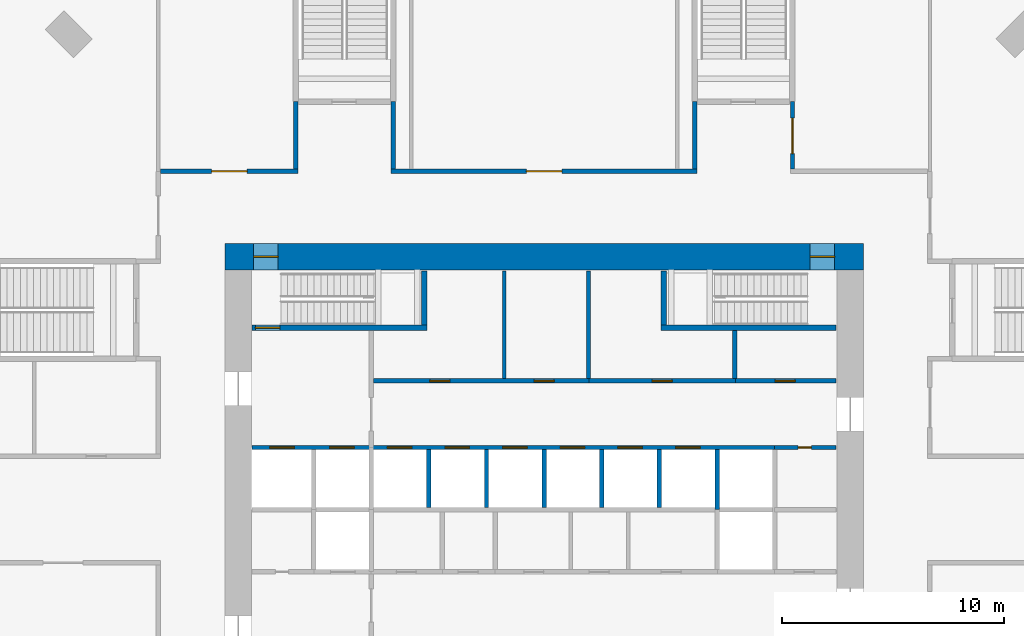
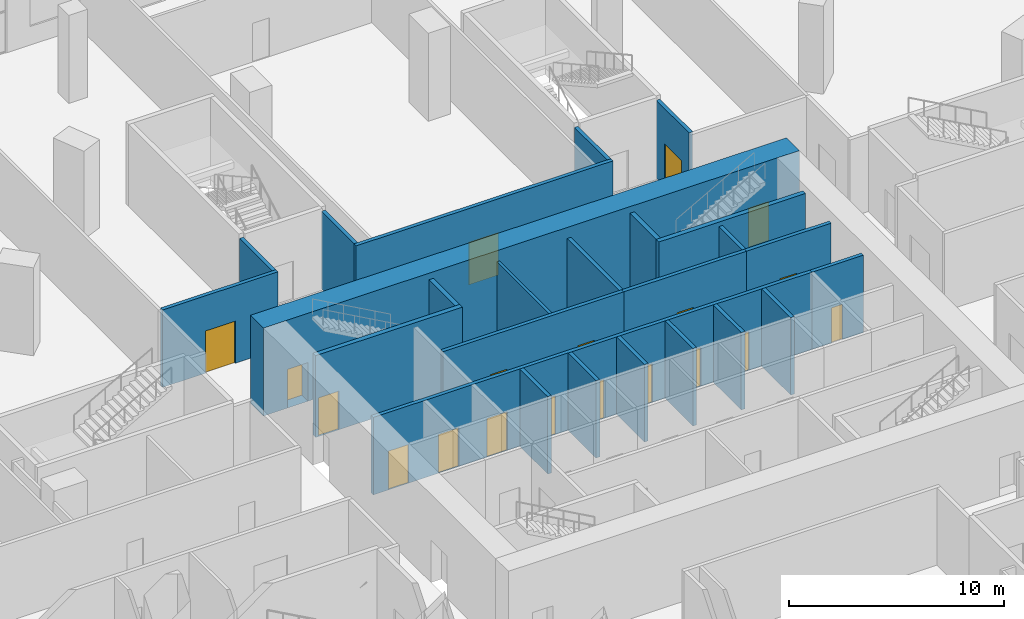
# One storey, part 24 of 32: 25 walls, 19 doors, 19 openings.
"""IFC4 building model written with IfcOpenShell, lengths in metres."""

from ifc_helpers import new_model, si_unit, direction, frame, frame_2d, origin, place, context, subcontext, project, spatial, rectangle, extrude, material, layer, layer_set, type_object, element, fill, save


model = new_model("IFC4")

# Units and contexts
model_context = context("Model", 3, precision=1e-05, world=origin(), true_north=direction((0.0, 1.0)))
body_context = subcontext(model_context, "Body", "Model", "MODEL_VIEW")
ifc_project = project(units=[si_unit("LENGTHUNIT", "METRE"), si_unit("AREAUNIT", "SQUARE_METRE"), si_unit("VOLUMEUNIT", "CUBIC_METRE"), si_unit("PLANEANGLEUNIT", "RADIAN"), si_unit("MASSUNIT", "GRAM", prefix="KILO")], contexts=[model_context])

# Site, building, storey
site_placement = place(None, origin())
site = spatial("IfcSite", under=ifc_project, at=site_placement, CompositionType="ELEMENT")
building_placement = place(site_placement, origin())
building = spatial("IfcBuilding", under=site, at=building_placement, Name="Msitu Wima Residences", CompositionType="ELEMENT")
storey_placement = place(building_placement, frame((0.0, 0.0, 6.0)))
storey = spatial("IfcBuildingStorey", under=building, at=storey_placement, Name="L01", CompositionType="ELEMENT", Elevation=6.0)

# Wall, openings, doors
ifc_material_1 = material(Name="Concrete C80/95", Category="concrete")
ifc_layer_1 = layer(ifc_material_1, 1.199951171875)
ifc_layer_set_1 = layer_set([ifc_layer_1], Name="Concrete C80/95")
wall_type_1 = type_object("IfcWallType", Name="Core wall CW1200 C80/95", PredefinedType="SHEAR", material=ifc_layer_set_1)
wall_1_placement = place(storey_placement, frame((-14.39990234375, 11.39990234375, 0.0), z_axis=(0.0, 0.0, 1.0), x_axis=(1.0, 0.0, 0.0)))
wall_1 = element("IfcWall", 1, at=wall_1_placement, inside=storey, type_object=wall_type_1, Name="Core wall", PredefinedType="SHEAR", context=body_context, shape_type="SweptSolid", body=[
    extrude(rectangle(XDim=28.7998046875, YDim=1.199951171875, at=frame_2d((14.39990234375, 0.0))), origin(), (0.0, 0.0, 1.0), 5.0),
])
opening_1_placement = place(wall_1_placement, frame((1.300048828125, 0.0, 0.0)))
opening_1 = element("IfcOpeningElement", 2, at=opening_1_placement, cuts=wall_1, Name="Opening D01.063", PredefinedType="OPENING", context=body_context, shape_type="SweptSolid", body=[
    extrude(rectangle(XDim=1.10009765625, YDim=2.199951171875, at=frame_2d((0.550048828125, 1.10009765625))), frame((0.0, 0.60986328125, 0.0), z_axis=(0.0, -1.0, 0.0), x_axis=(1.0, 0.0, 0.0)), (0.0, 0.0, 1.0), 1.219970703125),
])
opening_2_placement = place(wall_1_placement, frame((26.39990234375, 0.0, 0.0)))
opening_2 = element("IfcOpeningElement", 3, at=opening_2_placement, cuts=wall_1, Name="Opening D01.065", PredefinedType="OPENING", context=body_context, shape_type="SweptSolid", body=[
    extrude(rectangle(XDim=1.10009765625, YDim=2.199951171875, at=frame_2d((0.550048828125, 1.10009765625))), frame((0.0, 0.60986328125, 0.0), z_axis=(0.0, -1.0, 0.0), x_axis=(1.0, 0.0, 0.0)), (0.0, 0.0, 1.0), 1.219970703125),
])
ifc_material_2 = material(Name="Steel door, fire resisting, panic bar", Category="steel")
door_type_1 = type_object("IfcDoorType", Name="Stair door D06 1100x2200", OperationType="SINGLE_SWING_LEFT", PredefinedType="DOOR", material=ifc_material_2)
door_1_placement = place(opening_1_placement, origin())
door_1 = element("IfcDoor", 4, at=door_1_placement, inside=storey, type_object=door_type_1, Name="Stair door", OperationType="SINGLE_SWING_RIGHT", OverallHeight=2.199951171875, OverallWidth=1.10009765625, PredefinedType="DOOR", context=body_context, shape_type="SweptSolid", body=[
    extrude(rectangle(XDim=1.10009765625, YDim=2.199951171875, at=frame_2d((0.550048828125, 1.10009765625))), frame((0.0, 0.02490234375, 0.0), z_axis=(0.0, -1.0, 0.0), x_axis=(1.0, 0.0, 0.0)), (0.0, 0.0, 1.0), 0.050048828125),
])
fill(opening_1, door_1)
door_2_placement = place(opening_2_placement, origin())
door_2 = element("IfcDoor", 5, at=door_2_placement, inside=storey, type_object=door_type_1, Name="Stair door", OperationType="SINGLE_SWING_LEFT", OverallHeight=2.199951171875, OverallWidth=1.10009765625, PredefinedType="DOOR", context=body_context, shape_type="SweptSolid", body=[
    extrude(rectangle(XDim=1.10009765625, YDim=2.199951171875, at=frame_2d((0.550048828125, 1.10009765625))), frame((0.0, 0.02490234375, 0.0), z_axis=(0.0, -1.0, 0.0), x_axis=(1.0, 0.0, 0.0)), (0.0, 0.0, 1.0), 0.050048828125),
])
fill(opening_2, door_2)

# Wall, opening, door
ifc_material_3 = material(Name="Plaster")
ifc_layer_2 = layer(ifc_material_3, 0.011962890625, Name="Plaster")
ifc_material_4 = material(Name="Concrete blockwork", Category="masonry")
ifc_layer_3 = layer(ifc_material_4, 0.176025390625, Name="Concrete blockwork")
ifc_layer_4 = layer(ifc_material_3, 0.011962890625, Name="Plaster")
ifc_layer_set_2 = layer_set([ifc_layer_2, ifc_layer_3, ifc_layer_4], Name="Concrete blockwork")
wall_type_2 = type_object("IfcWallType", Name="Corridor wall FW200", PredefinedType="PARTITIONING", material=ifc_layer_set_2)
wall_2_placement = place(storey_placement, frame((-17.300048828125, 15.2568359375, 0.0), z_axis=(0.0, 0.0, 1.0), x_axis=(1.0, 0.0, 0.0)))
wall_2 = element("IfcWall", 6, at=wall_2_placement, inside=storey, type_object=wall_type_2, Name="Corridor wall", PredefinedType="PARTITIONING", context=body_context, shape_type="SweptSolid", body=[
    extrude(rectangle(XDim=6.199951171875, YDim=0.199951171875, at=frame_2d((3.10009765625, 0.0))), origin(), (0.0, 0.0, 1.0), 4.39990234375),
])
opening_3_placement = place(wall_2_placement, frame((2.300048828125, 0.0, 0.0)))
opening_3 = element("IfcOpeningElement", 7, at=opening_3_placement, cuts=wall_2, Name="Opening D01.042", PredefinedType="OPENING", context=body_context, shape_type="SweptSolid", body=[
    extrude(rectangle(XDim=1.60009765625, YDim=2.39990234375, at=frame_2d((0.800048828125, 1.199951171875))), frame((0.0, 0.10986328125, 0.0), z_axis=(0.0, -1.0, 0.0), x_axis=(1.0, 0.0, 0.0)), (0.0, 0.0, 1.0), 0.219970703125),
])
ifc_material_5 = material(Name="Black aluminium glazed door", Category="aluminium")
door_type_2 = type_object("IfcDoorType", Name="Amenity door D10 1600x2400", OperationType="DOUBLE_DOOR_SINGLE_SWING", PredefinedType="DOOR", material=ifc_material_5)
door_3_placement = place(opening_3_placement, origin())
door_3 = element("IfcDoor", 8, at=door_3_placement, inside=storey, type_object=door_type_2, Name="Amenity door", OperationType="DOUBLE_DOOR_SINGLE_SWING", OverallHeight=2.39990234375, OverallWidth=1.60009765625, PredefinedType="DOOR", context=body_context, shape_type="SweptSolid", body=[
    extrude(rectangle(XDim=1.60009765625, YDim=2.39990234375, at=frame_2d((0.800048828125, 1.199951171875))), frame((0.0, 0.02490234375, 0.0), z_axis=(0.0, -1.0, 0.0), x_axis=(1.0, 0.0, 0.0)), (0.0, 0.0, 1.0), 0.050048828125),
])
fill(opening_3, door_3)

# Wall
wall_3_placement = place(storey_placement, frame((-11.199951171875, 15.356689453125, 0.0), z_axis=(0.0, 0.0, 1.0), x_axis=(0.0, 1.0, 0.0)))
element("IfcWall", 9, at=wall_3_placement, inside=storey, type_object=wall_type_2, Name="Corridor wall", PredefinedType="PARTITIONING", context=body_context, shape_type="SweptSolid", body=[
    extrude(rectangle(XDim=3.043212890625, YDim=0.199951171875, at=frame_2d((1.521484375, 0.0))), origin(), (0.0, 0.0, 1.0), 4.39990234375),
])

# Wall, openings, doors
wall_4_placement = place(storey_placement, frame((-7.699951171875, 5.800048828125, 0.0), z_axis=(0.0, 0.0, 1.0), x_axis=(1.0, 0.0, 0.0)))
wall_4 = element("IfcWall", 10, at=wall_4_placement, inside=storey, type_object=wall_type_2, Name="Corridor wall", PredefinedType="PARTITIONING", context=body_context, shape_type="SweptSolid", body=[
    extrude(rectangle(XDim=9.719970703125, YDim=0.199951171875, at=frame_2d((4.85986328125, 0.0))), origin(), (0.0, 0.0, 1.0), 4.39990234375),
])
opening_4_placement = place(wall_4_placement, frame((2.550048828125, 0.0, 0.0)))
opening_4 = element("IfcOpeningElement", 11, at=opening_4_placement, cuts=wall_4, Name="Opening D01.012", PredefinedType="OPENING", context=body_context, shape_type="SweptSolid", body=[
    extrude(rectangle(XDim=0.89990234375, YDim=2.199951171875, at=frame_2d((0.449951171875, 1.10009765625))), frame((0.0, 0.10986328125, 0.0), z_axis=(0.0, -1.0, 0.0), x_axis=(1.0, 0.0, 0.0)), (0.0, 0.0, 1.0), 0.219970703125),
])
opening_5_placement = place(wall_4_placement, frame((7.25, 0.0, 0.0)))
opening_5 = element("IfcOpeningElement", 12, at=opening_5_placement, cuts=wall_4, Name="Opening D01.013", PredefinedType="OPENING", context=body_context, shape_type="SweptSolid", body=[
    extrude(rectangle(XDim=0.89990234375, YDim=2.199951171875, at=frame_2d((0.449951171875, 1.10009765625))), frame((0.0, 0.10986328125, 0.0), z_axis=(0.0, -1.0, 0.0), x_axis=(1.0, 0.0, 0.0)), (0.0, 0.0, 1.0), 0.219970703125),
])
ifc_material_6 = material(Name="Timber flush door", Category="wood")
door_type_3 = type_object("IfcDoorType", Name="Service door D05 900x2200", OperationType="SINGLE_SWING_LEFT", PredefinedType="DOOR", material=ifc_material_6)
door_4_placement = place(opening_4_placement, origin())
door_4 = element("IfcDoor", 13, at=door_4_placement, inside=storey, type_object=door_type_3, Name="Service door", OperationType="SINGLE_SWING_RIGHT", OverallHeight=2.199951171875, OverallWidth=0.89990234375, PredefinedType="DOOR", context=body_context, shape_type="SweptSolid", body=[
    extrude(rectangle(XDim=0.89990234375, YDim=2.199951171875, at=frame_2d((0.449951171875, 1.10009765625))), frame((0.0, 0.02490234375, 0.0), z_axis=(0.0, -1.0, 0.0), x_axis=(1.0, 0.0, 0.0)), (0.0, 0.0, 1.0), 0.050048828125),
])
fill(opening_4, door_4)
door_5_placement = place(opening_5_placement, origin())
door_5 = element("IfcDoor", 14, at=door_5_placement, inside=storey, type_object=door_type_3, Name="Service door", OperationType="SINGLE_SWING_LEFT", OverallHeight=2.199951171875, OverallWidth=0.89990234375, PredefinedType="DOOR", context=body_context, shape_type="SweptSolid", body=[
    extrude(rectangle(XDim=0.89990234375, YDim=2.199951171875, at=frame_2d((0.449951171875, 1.10009765625))), frame((0.0, 0.02490234375, 0.0), z_axis=(0.0, -1.0, 0.0), x_axis=(1.0, 0.0, 0.0)), (0.0, 0.0, 1.0), 0.050048828125),
])
fill(opening_5, door_5)

# Wall
wall_5_placement = place(storey_placement, frame((-6.800048828125, 15.356689453125, 0.0), z_axis=(0.0, 0.0, 1.0), x_axis=(0.0, 1.0, 0.0)))
element("IfcWall", 15, at=wall_5_placement, inside=storey, type_object=wall_type_2, Name="Corridor wall", PredefinedType="PARTITIONING", context=body_context, shape_type="SweptSolid", body=[
    extrude(rectangle(XDim=3.043212890625, YDim=0.199951171875, at=frame_2d((1.521484375, 0.0))), origin(), (0.0, 0.0, 1.0), 4.39990234375),
])

# Wall, opening, door
wall_6_placement = place(storey_placement, frame((-6.89990234375, 15.2568359375, 0.0), z_axis=(0.0, 0.0, 1.0), x_axis=(1.0, 0.0, 0.0)))
wall_6 = element("IfcWall", 16, at=wall_6_placement, inside=storey, type_object=wall_type_2, Name="Corridor wall", PredefinedType="PARTITIONING", context=body_context, shape_type="SweptSolid", body=[
    extrude(rectangle(XDim=13.7998046875, YDim=0.199951171875, at=frame_2d((6.89990234375, 0.0))), origin(), (0.0, 0.0, 1.0), 4.39990234375),
])
opening_6_placement = place(wall_6_placement, frame((6.10009765625, 0.0, 0.0)))
opening_6 = element("IfcOpeningElement", 17, at=opening_6_placement, cuts=wall_6, Name="Opening D01.043", PredefinedType="OPENING", context=body_context, shape_type="SweptSolid", body=[
    extrude(rectangle(XDim=1.60009765625, YDim=2.39990234375, at=frame_2d((0.800048828125, 1.199951171875))), frame((0.0, 0.10986328125, 0.0), z_axis=(0.0, -1.0, 0.0), x_axis=(1.0, 0.0, 0.0)), (0.0, 0.0, 1.0), 0.219970703125),
])
door_6_placement = place(opening_6_placement, origin())
door_6 = element("IfcDoor", 18, at=door_6_placement, inside=storey, type_object=door_type_2, Name="Amenity door", OperationType="DOUBLE_DOOR_SINGLE_SWING", OverallHeight=2.39990234375, OverallWidth=1.60009765625, PredefinedType="DOOR", context=body_context, shape_type="SweptSolid", body=[
    extrude(rectangle(XDim=1.60009765625, YDim=2.39990234375, at=frame_2d((0.800048828125, 1.199951171875))), frame((0.0, 0.02490234375, 0.0), z_axis=(0.0, -1.0, 0.0), x_axis=(1.0, 0.0, 0.0)), (0.0, 0.0, 1.0), 0.050048828125),
])
fill(opening_6, door_6)

# Wall
wall_7_placement = place(storey_placement, frame((6.800048828125, 15.356689453125, 0.0), z_axis=(0.0, 0.0, 1.0), x_axis=(0.0, 1.0, 0.0)))
element("IfcWall", 19, at=wall_7_placement, inside=storey, type_object=wall_type_2, Name="Corridor wall", PredefinedType="PARTITIONING", context=body_context, shape_type="SweptSolid", body=[
    extrude(rectangle(XDim=3.043212890625, YDim=0.199951171875, at=frame_2d((1.521484375, 0.0))), origin(), (0.0, 0.0, 1.0), 4.39990234375),
])

# Wall, opening, door
wall_8_placement = place(storey_placement, frame((8.6201171875, 5.800048828125, 0.0), z_axis=(0.0, 0.0, 1.0), x_axis=(1.0, 0.0, 0.0)))
wall_8 = element("IfcWall", 20, at=wall_8_placement, inside=storey, type_object=wall_type_2, Name="Corridor wall", PredefinedType="PARTITIONING", context=body_context, shape_type="SweptSolid", body=[
    extrude(rectangle(XDim=4.5498046875, YDim=0.199951171875, at=frame_2d((2.27490234375, 0.0))), origin(), (0.0, 0.0, 1.0), 4.39990234375),
])
opening_7_placement = place(wall_8_placement, frame((1.800048828125, 0.0, 0.0)))
opening_7 = element("IfcOpeningElement", 21, at=opening_7_placement, cuts=wall_8, Name="Opening D01.015", PredefinedType="OPENING", context=body_context, shape_type="SweptSolid", body=[
    extrude(rectangle(XDim=0.89990234375, YDim=2.199951171875, at=frame_2d((0.449951171875, 1.10009765625))), frame((0.0, 0.10986328125, 0.0), z_axis=(0.0, -1.0, 0.0), x_axis=(1.0, 0.0, 0.0)), (0.0, 0.0, 1.0), 0.219970703125),
])
door_7_placement = place(opening_7_placement, origin())
door_7 = element("IfcDoor", 22, at=door_7_placement, inside=storey, type_object=door_type_3, Name="Service door", OperationType="SINGLE_SWING_LEFT", OverallHeight=2.199951171875, OverallWidth=0.89990234375, PredefinedType="DOOR", context=body_context, shape_type="SweptSolid", body=[
    extrude(rectangle(XDim=0.89990234375, YDim=2.199951171875, at=frame_2d((0.449951171875, 1.10009765625))), frame((0.0, 0.02490234375, 0.0), z_axis=(0.0, -1.0, 0.0), x_axis=(1.0, 0.0, 0.0)), (0.0, 0.0, 1.0), 0.050048828125),
])
fill(opening_7, door_7)

wall_9_placement = place(storey_placement, frame((11.199951171875, 15.356689453125, 0.0), z_axis=(0.0, 0.0, 1.0), x_axis=(0.0, 1.0, 0.0)))
wall_9 = element("IfcWall", 23, at=wall_9_placement, inside=storey, type_object=wall_type_2, Name="Corridor wall", PredefinedType="PARTITIONING", context=body_context, shape_type="SweptSolid", body=[
    extrude(rectangle(XDim=3.043212890625, YDim=0.199951171875, at=frame_2d((1.521484375, 0.0))), origin(), (0.0, 0.0, 1.0), 4.39990234375),
])
opening_8_placement = place(wall_9_placement, frame((0.699951171875, 0.0, 0.0)))
opening_8 = element("IfcOpeningElement", 24, at=opening_8_placement, cuts=wall_9, Name="Opening D01.044", PredefinedType="OPENING", context=body_context, shape_type="SweptSolid", body=[
    extrude(rectangle(XDim=1.60009765625, YDim=2.39990234375, at=frame_2d((0.800048828125, 1.199951171875))), frame((0.0, 0.10986328125, 0.0), z_axis=(0.0, -1.0, 0.0), x_axis=(1.0, 0.0, 0.0)), (0.0, 0.0, 1.0), 0.219970703125),
])
door_8_placement = place(opening_8_placement, origin())
door_8 = element("IfcDoor", 25, at=door_8_placement, inside=storey, type_object=door_type_2, Name="Amenity door", OperationType="DOUBLE_DOOR_SINGLE_SWING", OverallHeight=2.39990234375, OverallWidth=1.60009765625, PredefinedType="DOOR", context=body_context, shape_type="SweptSolid", body=[
    extrude(rectangle(XDim=1.60009765625, YDim=2.39990234375, at=frame_2d((0.800048828125, 1.199951171875))), frame((0.0, 0.02490234375, 0.0), z_axis=(0.0, -1.0, 0.0), x_axis=(1.0, 0.0, 0.0)), (0.0, 0.0, 1.0), 0.050048828125),
])
fill(opening_8, door_8)

# Wall
ifc_layer_5 = layer(ifc_material_3, 0.011962890625, Name="Plaster")
ifc_layer_6 = layer(ifc_material_4, 0.1259765625, Name="Concrete blockwork")
ifc_layer_7 = layer(ifc_material_3, 0.011962890625, Name="Plaster")
ifc_layer_set_3 = layer_set([ifc_layer_5, ifc_layer_6, ifc_layer_7], Name="Concrete blockwork")
wall_type_3 = type_object("IfcWallType", Name="Partition PW150", PredefinedType="PARTITIONING", material=ifc_layer_set_3)
wall_10_placement = place(storey_placement, frame((-1.800048828125, 5.89990234375, 0.0), z_axis=(0.0, 0.0, 1.0), x_axis=(0.0, 1.0, 0.0)))
element("IfcWall", 26, at=wall_10_placement, inside=storey, type_object=wall_type_3, Name="Partition", PredefinedType="PARTITIONING", context=body_context, shape_type="SweptSolid", body=[
    extrude(rectangle(XDim=4.8701171875, YDim=0.14990234375, at=frame_2d((2.43505859375, 0.0))), origin(), (0.0, 0.0, 1.0), 4.39990234375),
])

# Wall, opening, door
ifc_layer_8 = layer(ifc_material_3, 0.011962890625, Name="Plaster")
ifc_material_7 = material(Name="Reinforced concrete blockwork", Category="masonry")
ifc_layer_9 = layer(ifc_material_7, 0.176025390625, Name="Reinforced concrete blockwork")
ifc_layer_10 = layer(ifc_material_3, 0.011962890625, Name="Plaster")
ifc_layer_set_4 = layer_set([ifc_layer_8, ifc_layer_9, ifc_layer_10], Name="Reinforced concrete blockwork")
wall_type_4 = type_object("IfcWallType", Name="Plant and riser wall PL200", PredefinedType="PARTITIONING", material=ifc_layer_set_4)
wall_11_placement = place(storey_placement, frame((2.02001953125, 5.800048828125, 0.0), z_axis=(0.0, 0.0, 1.0), x_axis=(1.0, 0.0, 0.0)))
wall_11 = element("IfcWall", 27, at=wall_11_placement, inside=storey, type_object=wall_type_4, Name="Plant and riser wall", PredefinedType="PARTITIONING", context=body_context, shape_type="SweptSolid", body=[
    extrude(rectangle(XDim=6.60009765625, YDim=0.199951171875, at=frame_2d((3.300048828125, 0.0))), origin(), (0.0, 0.0, 1.0), 4.39990234375),
])
opening_9_placement = place(wall_11_placement, frame((2.85009765625, 0.0, 0.0)))
opening_9 = element("IfcOpeningElement", 28, at=opening_9_placement, cuts=wall_11, Name="Opening D01.014", PredefinedType="OPENING", context=body_context, shape_type="SweptSolid", body=[
    extrude(rectangle(XDim=0.89990234375, YDim=2.199951171875, at=frame_2d((0.449951171875, 1.10009765625))), frame((0.0, 0.10986328125, 0.0), z_axis=(0.0, -1.0, 0.0), x_axis=(1.0, 0.0, 0.0)), (0.0, 0.0, 1.0), 0.219970703125),
])
door_9_placement = place(opening_9_placement, origin())
door_9 = element("IfcDoor", 29, at=door_9_placement, inside=storey, type_object=door_type_3, Name="Service door", OperationType="SINGLE_SWING_RIGHT", OverallHeight=2.199951171875, OverallWidth=0.89990234375, PredefinedType="DOOR", context=body_context, shape_type="SweptSolid", body=[
    extrude(rectangle(XDim=0.89990234375, YDim=2.199951171875, at=frame_2d((0.449951171875, 1.10009765625))), frame((0.0, 0.02490234375, 0.0), z_axis=(0.0, -1.0, 0.0), x_axis=(1.0, 0.0, 0.0)), (0.0, 0.0, 1.0), 0.050048828125),
])
fill(opening_9, door_9)

# Walls
wall_12_placement = place(storey_placement, frame((2.0, 5.89990234375, 0.0), z_axis=(0.0, 0.0, 1.0), x_axis=(0.0, 1.0, 0.0)))
element("IfcWall", 30, at=wall_12_placement, inside=storey, type_object=wall_type_4, Name="Plant and riser wall", PredefinedType="PARTITIONING", context=body_context, shape_type="SweptSolid", body=[
    extrude(rectangle(XDim=4.8701171875, YDim=0.199951171875, at=frame_2d((2.43505859375, 0.0))), origin(), (0.0, 0.0, 1.0), 4.39990234375),
])
wall_13_placement = place(storey_placement, frame((8.60009765625, 5.89990234375, 0.0), z_axis=(0.0, 0.0, 1.0), x_axis=(0.0, 1.0, 0.0)))
element("IfcWall", 31, at=wall_13_placement, inside=storey, type_object=wall_type_4, Name="Plant and riser wall", PredefinedType="PARTITIONING", context=body_context, shape_type="SweptSolid", body=[
    extrude(rectangle(XDim=2.175048828125, YDim=0.199951171875, at=frame_2d((1.08740234375, 0.0))), origin(), (0.0, 0.0, 1.0), 4.39990234375),
])

# Wall, opening, door
wall_14_placement = place(storey_placement, frame((10.39990234375, 2.800048828125, 0.0), z_axis=(0.0, 0.0, 1.0), x_axis=(1.0, 0.0, 0.0)))
wall_14 = element("IfcWall", 32, at=wall_14_placement, inside=storey, type_object=wall_type_4, Name="Plant and riser wall", PredefinedType="PARTITIONING", context=body_context, shape_type="SweptSolid", body=[
    extrude(rectangle(XDim=2.77001953125, YDim=0.199951171875, at=frame_2d((1.385009765625, 0.0))), origin(), (0.0, 0.0, 1.0), 4.39990234375),
])
opening_10_placement = place(wall_14_placement, frame((1.050048828125, 0.0, 0.0)))
opening_10 = element("IfcOpeningElement", 33, at=opening_10_placement, cuts=wall_14, Name="Opening D01.019", PredefinedType="OPENING", context=body_context, shape_type="SweptSolid", body=[
    extrude(rectangle(XDim=0.60009765625, YDim=2.0, at=frame_2d((0.300048828125, 1.0))), frame((0.0, 0.10986328125, 0.0), z_axis=(0.0, -1.0, 0.0), x_axis=(1.0, 0.0, 0.0)), (0.0, 0.0, 1.0), 0.219970703125),
])
ifc_material_8 = material(Name="Steel access door, fire resisting", Category="steel")
door_type_4 = type_object("IfcDoorType", Name="Riser access door D08 600x2000", OperationType="SINGLE_SWING_LEFT", PredefinedType="DOOR", material=ifc_material_8)
door_10_placement = place(opening_10_placement, origin())
door_10 = element("IfcDoor", 34, at=door_10_placement, inside=storey, type_object=door_type_4, Name="Riser access door", OperationType="SINGLE_SWING_RIGHT", OverallHeight=2.0, OverallWidth=0.60009765625, PredefinedType="DOOR", context=body_context, shape_type="SweptSolid", body=[
    extrude(rectangle(XDim=0.60009765625, YDim=2.0, at=frame_2d((0.300048828125, 1.0))), frame((0.0, 0.02490234375, 0.0), z_axis=(0.0, -1.0, 0.0), x_axis=(1.0, 0.0, 0.0)), (0.0, 0.0, 1.0), 0.050048828125),
])
fill(opening_10, door_10)

# Wall, openings, doors
ifc_material_9 = material(Name="Fire-rated board")
ifc_layer_11 = layer(ifc_material_9, 0.02490234375, Name="Fire-rated board")
ifc_material_10 = material(Name="Light-gauge stud framing with mineral wool")
ifc_layer_12 = layer(ifc_material_10, 0.14990234375, Name="Light-gauge stud framing with mineral wool")
ifc_layer_13 = layer(ifc_material_9, 0.02490234375, Name="Fire-rated board")
ifc_layer_set_5 = layer_set([ifc_layer_11, ifc_layer_12, ifc_layer_13], Name="Light-gauge stud framing with mineral wool")
wall_type_5 = type_object("IfcWallType", Name="Shaft wall SH200", PredefinedType="PARTITIONING", material=ifc_layer_set_5)
wall_15_placement = place(storey_placement, frame((-13.169921875, 2.800048828125, 0.0), z_axis=(0.0, 0.0, 1.0), x_axis=(1.0, 0.0, 0.0)))
wall_15 = element("IfcWall", 35, at=wall_15_placement, inside=storey, type_object=wall_type_5, Name="Shaft wall", PredefinedType="PARTITIONING", context=body_context, shape_type="SweptSolid", body=[
    extrude(rectangle(XDim=23.56982421875, YDim=0.199951171875, at=frame_2d((11.784912109375, 0.0))), origin(), (0.0, 0.0, 1.0), 4.39990234375),
])
opening_11_placement = place(wall_15_placement, frame((0.800048828125, 0.0, 0.0)))
opening_11 = element("IfcOpeningElement", 36, at=opening_11_placement, cuts=wall_15, Name="Opening LD", PredefinedType="OPENING", context=body_context, shape_type="SweptSolid", body=[
    extrude(rectangle(XDim=1.10009765625, YDim=2.199951171875, at=frame_2d((0.550048828125, 1.10009765625))), frame((0.0, 0.10986328125, 0.0), z_axis=(0.0, -1.0, 0.0), x_axis=(1.0, 0.0, 0.0)), (0.0, 0.0, 1.0), 0.219970703125),
])
opening_12_placement = place(wall_15_placement, frame((3.5, 0.0, 0.0)))
opening_12 = element("IfcOpeningElement", 37, at=opening_12_placement, cuts=wall_15, Name="Opening LD", PredefinedType="OPENING", context=body_context, shape_type="SweptSolid", body=[
    extrude(rectangle(XDim=1.10009765625, YDim=2.199951171875, at=frame_2d((0.550048828125, 1.10009765625))), frame((0.0, 0.10986328125, 0.0), z_axis=(0.0, -1.0, 0.0), x_axis=(1.0, 0.0, 0.0)), (0.0, 0.0, 1.0), 0.219970703125),
])
opening_13_placement = place(wall_15_placement, frame((6.10009765625, 0.0, 0.0)))
opening_13 = element("IfcOpeningElement", 38, at=opening_13_placement, cuts=wall_15, Name="Opening LD", PredefinedType="OPENING", context=body_context, shape_type="SweptSolid", body=[
    extrude(rectangle(XDim=1.10009765625, YDim=2.199951171875, at=frame_2d((0.550048828125, 1.10009765625))), frame((0.0, 0.10986328125, 0.0), z_axis=(0.0, -1.0, 0.0), x_axis=(1.0, 0.0, 0.0)), (0.0, 0.0, 1.0), 0.219970703125),
])
opening_14_placement = place(wall_15_placement, frame((8.699951171875, 0.0, 0.0)))
opening_14 = element("IfcOpeningElement", 39, at=opening_14_placement, cuts=wall_15, Name="Opening LD", PredefinedType="OPENING", context=body_context, shape_type="SweptSolid", body=[
    extrude(rectangle(XDim=1.10009765625, YDim=2.199951171875, at=frame_2d((0.550048828125, 1.10009765625))), frame((0.0, 0.10986328125, 0.0), z_axis=(0.0, -1.0, 0.0), x_axis=(1.0, 0.0, 0.0)), (0.0, 0.0, 1.0), 0.219970703125),
])
opening_15_placement = place(wall_15_placement, frame((11.300048828125, 0.0, 0.0)))
opening_15 = element("IfcOpeningElement", 40, at=opening_15_placement, cuts=wall_15, Name="Opening LD", PredefinedType="OPENING", context=body_context, shape_type="SweptSolid", body=[
    extrude(rectangle(XDim=1.10009765625, YDim=2.199951171875, at=frame_2d((0.550048828125, 1.10009765625))), frame((0.0, 0.10986328125, 0.0), z_axis=(0.0, -1.0, 0.0), x_axis=(1.0, 0.0, 0.0)), (0.0, 0.0, 1.0), 0.219970703125),
])
opening_16_placement = place(wall_15_placement, frame((13.89990234375, 0.0, 0.0)))
opening_16 = element("IfcOpeningElement", 41, at=opening_16_placement, cuts=wall_15, Name="Opening LD", PredefinedType="OPENING", context=body_context, shape_type="SweptSolid", body=[
    extrude(rectangle(XDim=1.10009765625, YDim=2.199951171875, at=frame_2d((0.550048828125, 1.10009765625))), frame((0.0, 0.10986328125, 0.0), z_axis=(0.0, -1.0, 0.0), x_axis=(1.0, 0.0, 0.0)), (0.0, 0.0, 1.0), 0.219970703125),
])
opening_17_placement = place(wall_15_placement, frame((16.5, 0.0, 0.0)))
opening_17 = element("IfcOpeningElement", 42, at=opening_17_placement, cuts=wall_15, Name="Opening LD", PredefinedType="OPENING", context=body_context, shape_type="SweptSolid", body=[
    extrude(rectangle(XDim=1.10009765625, YDim=2.199951171875, at=frame_2d((0.550048828125, 1.10009765625))), frame((0.0, 0.10986328125, 0.0), z_axis=(0.0, -1.0, 0.0), x_axis=(1.0, 0.0, 0.0)), (0.0, 0.0, 1.0), 0.219970703125),
])
opening_18_placement = place(wall_15_placement, frame((19.10009765625, 0.0, 0.0)))
opening_18 = element("IfcOpeningElement", 43, at=opening_18_placement, cuts=wall_15, Name="Opening LD", PredefinedType="OPENING", context=body_context, shape_type="SweptSolid", body=[
    extrude(rectangle(XDim=1.10009765625, YDim=2.199951171875, at=frame_2d((0.550048828125, 1.10009765625))), frame((0.0, 0.10986328125, 0.0), z_axis=(0.0, -1.0, 0.0), x_axis=(1.0, 0.0, 0.0)), (0.0, 0.0, 1.0), 0.219970703125),
])
ifc_material_11 = material(Name="Stainless steel centre-opening landing door, rated", Category="steel")
door_type_5 = type_object("IfcDoorType", Name="Lift landing door LD 1100x2200", OperationType="DOUBLE_DOOR_SLIDING", PredefinedType="DOOR", material=ifc_material_11)
door_11_placement = place(opening_11_placement, origin())
door_11 = element("IfcDoor", 44, at=door_11_placement, inside=storey, type_object=door_type_5, Name="Lift landing door LD1", OperationType="DOUBLE_DOOR_SLIDING", OverallHeight=2.199951171875, OverallWidth=1.10009765625, PredefinedType="DOOR", context=body_context, shape_type="SweptSolid", body=[
    extrude(rectangle(XDim=1.10009765625, YDim=2.199951171875, at=frame_2d((0.550048828125, 1.10009765625))), frame((0.0, 0.02490234375, 0.0), z_axis=(0.0, -1.0, 0.0), x_axis=(1.0, 0.0, 0.0)), (0.0, 0.0, 1.0), 0.050048828125),
])
fill(opening_11, door_11)
door_12_placement = place(opening_12_placement, origin())
door_12 = element("IfcDoor", 45, at=door_12_placement, inside=storey, type_object=door_type_5, Name="Lift landing door LD2", OperationType="DOUBLE_DOOR_SLIDING", OverallHeight=2.199951171875, OverallWidth=1.10009765625, PredefinedType="DOOR", context=body_context, shape_type="SweptSolid", body=[
    extrude(rectangle(XDim=1.10009765625, YDim=2.199951171875, at=frame_2d((0.550048828125, 1.10009765625))), frame((0.0, 0.02490234375, 0.0), z_axis=(0.0, -1.0, 0.0), x_axis=(1.0, 0.0, 0.0)), (0.0, 0.0, 1.0), 0.050048828125),
])
fill(opening_12, door_12)
door_13_placement = place(opening_13_placement, origin())
door_13 = element("IfcDoor", 46, at=door_13_placement, inside=storey, type_object=door_type_5, Name="Lift landing door LD4", OperationType="DOUBLE_DOOR_SLIDING", OverallHeight=2.199951171875, OverallWidth=1.10009765625, PredefinedType="DOOR", context=body_context, shape_type="SweptSolid", body=[
    extrude(rectangle(XDim=1.10009765625, YDim=2.199951171875, at=frame_2d((0.550048828125, 1.10009765625))), frame((0.0, 0.02490234375, 0.0), z_axis=(0.0, -1.0, 0.0), x_axis=(1.0, 0.0, 0.0)), (0.0, 0.0, 1.0), 0.050048828125),
])
fill(opening_13, door_13)
door_14_placement = place(opening_14_placement, origin())
door_14 = element("IfcDoor", 47, at=door_14_placement, inside=storey, type_object=door_type_5, Name="Lift landing door LD6", OperationType="DOUBLE_DOOR_SLIDING", OverallHeight=2.199951171875, OverallWidth=1.10009765625, PredefinedType="DOOR", context=body_context, shape_type="SweptSolid", body=[
    extrude(rectangle(XDim=1.10009765625, YDim=2.199951171875, at=frame_2d((0.550048828125, 1.10009765625))), frame((0.0, 0.02490234375, 0.0), z_axis=(0.0, -1.0, 0.0), x_axis=(1.0, 0.0, 0.0)), (0.0, 0.0, 1.0), 0.050048828125),
])
fill(opening_14, door_14)
door_15_placement = place(opening_15_placement, origin())
door_15 = element("IfcDoor", 48, at=door_15_placement, inside=storey, type_object=door_type_5, Name="Lift landing door LD8", OperationType="DOUBLE_DOOR_SLIDING", OverallHeight=2.199951171875, OverallWidth=1.10009765625, PredefinedType="DOOR", context=body_context, shape_type="SweptSolid", body=[
    extrude(rectangle(XDim=1.10009765625, YDim=2.199951171875, at=frame_2d((0.550048828125, 1.10009765625))), frame((0.0, 0.02490234375, 0.0), z_axis=(0.0, -1.0, 0.0), x_axis=(1.0, 0.0, 0.0)), (0.0, 0.0, 1.0), 0.050048828125),
])
fill(opening_15, door_15)
door_16_placement = place(opening_16_placement, origin())
door_16 = element("IfcDoor", 49, at=door_16_placement, inside=storey, type_object=door_type_5, Name="Lift landing door LD10", OperationType="DOUBLE_DOOR_SLIDING", OverallHeight=2.199951171875, OverallWidth=1.10009765625, PredefinedType="DOOR", context=body_context, shape_type="SweptSolid", body=[
    extrude(rectangle(XDim=1.10009765625, YDim=2.199951171875, at=frame_2d((0.550048828125, 1.10009765625))), frame((0.0, 0.02490234375, 0.0), z_axis=(0.0, -1.0, 0.0), x_axis=(1.0, 0.0, 0.0)), (0.0, 0.0, 1.0), 0.050048828125),
])
fill(opening_16, door_16)
door_17_placement = place(opening_17_placement, origin())
door_17 = element("IfcDoor", 50, at=door_17_placement, inside=storey, type_object=door_type_5, Name="Lift landing door LD12", OperationType="DOUBLE_DOOR_SLIDING", OverallHeight=2.199951171875, OverallWidth=1.10009765625, PredefinedType="DOOR", context=body_context, shape_type="SweptSolid", body=[
    extrude(rectangle(XDim=1.10009765625, YDim=2.199951171875, at=frame_2d((0.550048828125, 1.10009765625))), frame((0.0, 0.02490234375, 0.0), z_axis=(0.0, -1.0, 0.0), x_axis=(1.0, 0.0, 0.0)), (0.0, 0.0, 1.0), 0.050048828125),
])
fill(opening_17, door_17)
door_18_placement = place(opening_18_placement, origin())
door_18 = element("IfcDoor", 51, at=door_18_placement, inside=storey, type_object=door_type_5, Name="Lift landing door LD14", OperationType="DOUBLE_DOOR_SLIDING", OverallHeight=2.199951171875, OverallWidth=1.10009765625, PredefinedType="DOOR", context=body_context, shape_type="SweptSolid", body=[
    extrude(rectangle(XDim=1.10009765625, YDim=2.199951171875, at=frame_2d((0.550048828125, 1.10009765625))), frame((0.0, 0.02490234375, 0.0), z_axis=(0.0, -1.0, 0.0), x_axis=(1.0, 0.0, 0.0)), (0.0, 0.0, 1.0), 0.050048828125),
])
fill(opening_18, door_18)

# Walls
for number, where, z_axis, x_axis, name in (
    (52, (-5.199951171875, 0.10009765625, 0.0), (0.0, 0.0, 1.0), (0.0, 1.0, 0.0), "Shaft wall"),
    (53, (-2.60009765625, 0.10009765625, 0.0), (0.0, 0.0, 1.0), (0.0, 1.0, 0.0), "Shaft wall"),
    (54, (0.0, 0.10009765625, 0.0), (0.0, 0.0, 1.0), (0.0, 1.0, 0.0), "Shaft wall"),
    (55, (2.60009765625, 0.10009765625, 0.0), (0.0, 0.0, 1.0), (0.0, 1.0, 0.0), "Shaft wall"),
    (56, (5.199951171875, 0.10009765625, 0.0), (0.0, 0.0, 1.0), (0.0, 1.0, 0.0), "Shaft wall"),
):
    element("IfcWall", number, at=place(storey_placement, frame(where, z_axis=z_axis, x_axis=x_axis)), inside=storey, type_object=wall_type_5, Name=name, PredefinedType="PARTITIONING", context=body_context, shape_type="SweptSolid", body=[
        extrude(rectangle(XDim=2.599853515625, YDim=0.199951171875, at=frame_2d((1.2998046875, 0.0))), origin(), (0.0, 0.0, 1.0), 4.39990234375),
    ])
wall_16_placement = place(storey_placement, frame((7.800048828125, 0.0, 0.0), z_axis=(0.0, 0.0, 1.0), x_axis=(0.0, 1.0, 0.0)))
element("IfcWall", 57, at=wall_16_placement, inside=storey, type_object=wall_type_5, Name="Shaft wall", PredefinedType="PARTITIONING", context=body_context, shape_type="SweptSolid", body=[
    extrude(rectangle(XDim=2.699951171875, YDim=0.199951171875, at=frame_2d((1.35009765625, 0.0))), origin(), (0.0, 0.0, 1.0), 4.39990234375),
])

# Wall, opening, door
ifc_material_12 = material(Name="Concrete C50/60", Category="concrete")
ifc_layer_14 = layer(ifc_material_12, 0.25)
ifc_layer_set_6 = layer_set([ifc_layer_14], Name="Concrete C50/60")
wall_type_6 = type_object("IfcWallType", Name="Stair enclosure wall SW250", PredefinedType="SHEAR", material=ifc_layer_set_6)
wall_17_placement = place(storey_placement, frame((-13.169921875, 8.199951171875, 0.0), z_axis=(0.0, 0.0, 1.0), x_axis=(1.0, 0.0, 0.0)))
wall_17 = element("IfcWall", 58, at=wall_17_placement, inside=storey, type_object=wall_type_6, Name="Stair enclosure wall", PredefinedType="SHEAR", context=body_context, shape_type="SweptSolid", body=[
    extrude(rectangle(XDim=7.89501953125, YDim=0.25, at=frame_2d((3.947509765625, 0.0))), origin(), (0.0, 0.0, 1.0), 4.64990234375),
])
opening_19_placement = place(wall_17_placement, frame((0.14990234375, 0.0, 0.0)))
opening_19 = element("IfcOpeningElement", 59, at=opening_19_placement, cuts=wall_17, Name="Opening D01.026", PredefinedType="OPENING", context=body_context, shape_type="SweptSolid", body=[
    extrude(rectangle(XDim=1.10009765625, YDim=2.199951171875, at=frame_2d((0.550048828125, 1.10009765625))), frame((0.0, 0.135009765625, 0.0), z_axis=(0.0, -1.0, 0.0), x_axis=(1.0, 0.0, 0.0)), (0.0, 0.0, 1.0), 0.27001953125),
])
door_19_placement = place(opening_19_placement, origin())
door_19 = element("IfcDoor", 60, at=door_19_placement, inside=storey, type_object=door_type_1, Name="Stair door", OperationType="SINGLE_SWING_LEFT", OverallHeight=2.199951171875, OverallWidth=1.10009765625, PredefinedType="DOOR", context=body_context, shape_type="SweptSolid", body=[
    extrude(rectangle(XDim=1.10009765625, YDim=2.199951171875, at=frame_2d((0.550048828125, 1.10009765625))), frame((0.0, 0.02490234375, 0.0), z_axis=(0.0, -1.0, 0.0), x_axis=(1.0, 0.0, 0.0)), (0.0, 0.0, 1.0), 0.050048828125),
])
fill(opening_19, door_19)

# Walls
for number, where, z_axis, x_axis, name in (
    (61, (-5.39990234375, 8.324951171875, 0.0), (0.0, 0.0, 1.0), (0.0, 1.0, 0.0), "Stair enclosure wall"),
    (62, (5.39990234375, 8.324951171875, 0.0), (0.0, 0.0, 1.0), (0.0, 1.0, 0.0), "Stair enclosure wall"),
):
    element("IfcWall", number, at=place(storey_placement, frame(where, z_axis=z_axis, x_axis=x_axis)), inside=storey, type_object=wall_type_6, Name=name, PredefinedType="SHEAR", context=body_context, shape_type="SweptSolid", body=[
        extrude(rectangle(XDim=2.445068359375, YDim=0.25, at=frame_2d((1.22265625, 0.0))), origin(), (0.0, 0.0, 1.0), 4.64990234375),
    ])
wall_18_placement = place(storey_placement, frame((5.27490234375, 8.199951171875, 0.0), z_axis=(0.0, 0.0, 1.0), x_axis=(1.0, 0.0, 0.0)))
element("IfcWall", 63, at=wall_18_placement, inside=storey, type_object=wall_type_6, Name="Stair enclosure wall", PredefinedType="SHEAR", context=body_context, shape_type="SweptSolid", body=[
    extrude(rectangle(XDim=7.89501953125, YDim=0.25, at=frame_2d((3.947509765625, 0.0))), origin(), (0.0, 0.0, 1.0), 4.64990234375),
])

save(model, "model.ifc")
